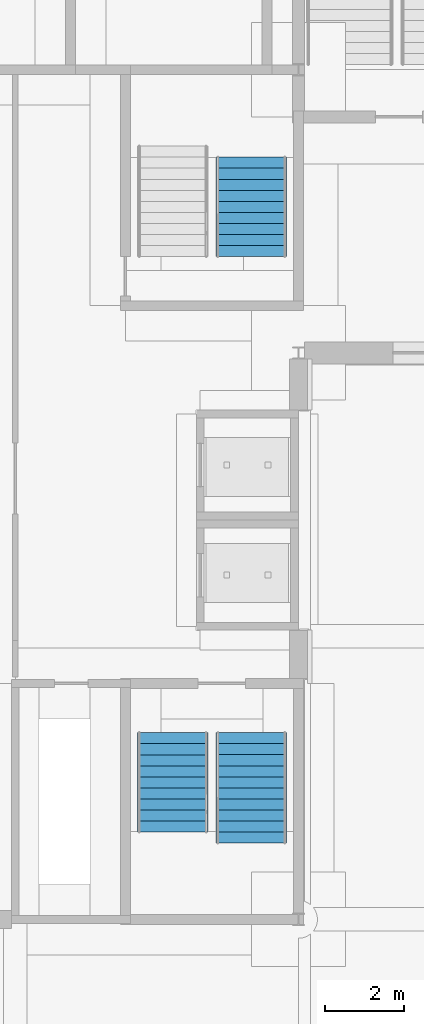
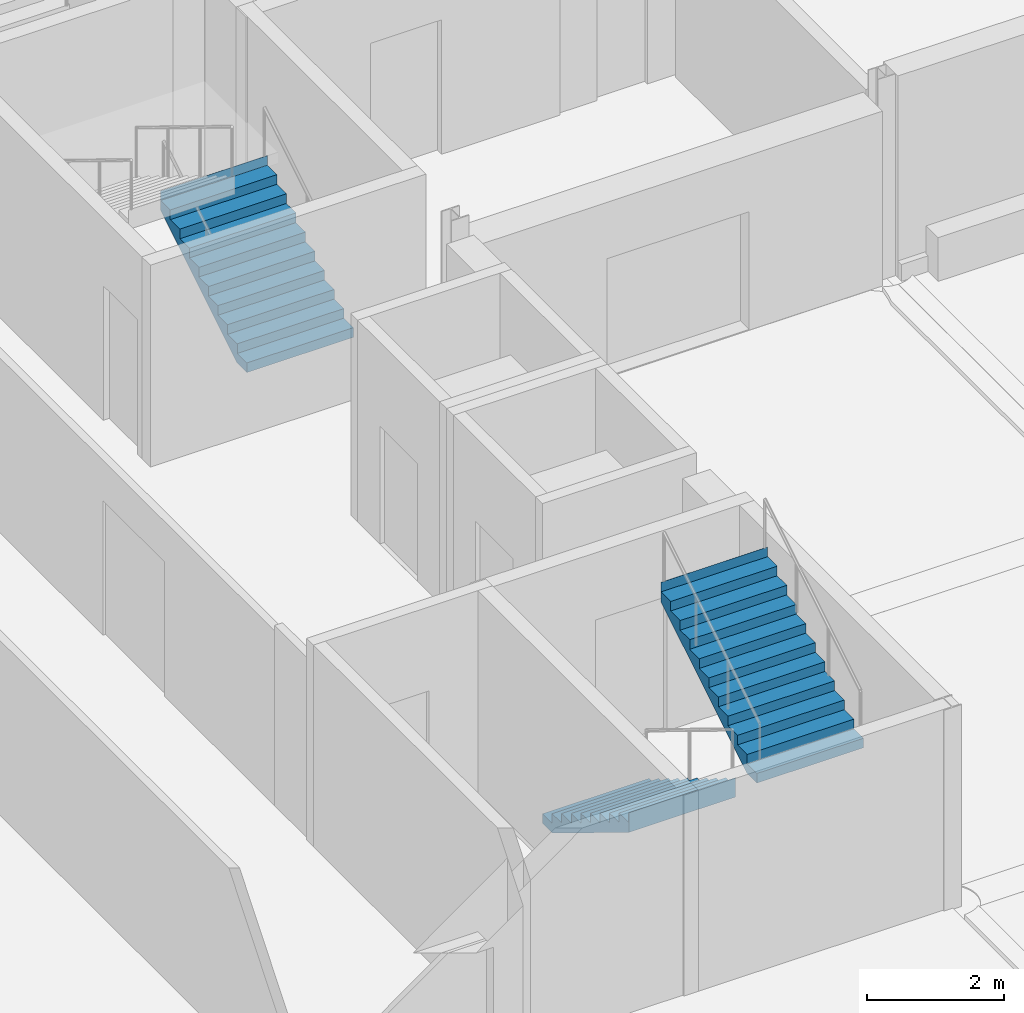
# One storey, part 95 of 148: 3 stair flights, 2 elements without a shape of their own.
"""IFC4 building model written with IfcOpenShell, lengths in metres."""

from ifc_helpers import new_model, si_unit, direction, frame, origin, place, context, subcontext, project, spatial, polyline, outline, extrude, material, type_object, element, aggregate, save


model = new_model("IFC4")

# Units and contexts
model_context = context("Model", 3, precision=1e-05, world=origin(), true_north=direction((0.0, 1.0)))
body_context = subcontext(model_context, "Body", "Model", "MODEL_VIEW")
ifc_project = project(units=[si_unit("LENGTHUNIT", "METRE"), si_unit("AREAUNIT", "SQUARE_METRE"), si_unit("VOLUMEUNIT", "CUBIC_METRE"), si_unit("PLANEANGLEUNIT", "RADIAN"), si_unit("MASSUNIT", "GRAM", prefix="KILO")], contexts=[model_context])

# Site, building, storey
site_placement = place(None, origin())
site = spatial("IfcSite", under=ifc_project, at=site_placement, CompositionType="ELEMENT")
building_placement = place(site_placement, origin())
building = spatial("IfcBuilding", under=site, at=building_placement, Name="Kupolbacken Congress Centre", CompositionType="ELEMENT")
storey_placement = place(building_placement, origin())
storey = spatial("IfcBuildingStorey", under=building, at=storey_placement, Name="L00", CompositionType="ELEMENT", Elevation=0.0)

# Stair, stair flight
ifc_material_1 = material(Name="Steel S355", Category="steel")
stair_type = type_object("IfcStairType", Name="ST3 stair 1800", PredefinedType="TWO_STRAIGHT_RUN_STAIR", material=ifc_material_1)
stair_1_placement = place(storey_placement, origin())
stair_1 = element("IfcStair", 1, at=stair_1_placement, inside=storey, type_object=stair_type, Name="C/stair/FS1E/L00", PredefinedType="NOTDEFINED")
ifc_material_2 = material(Name="Steel S355", Category="steel")
stair_flight_type_1 = type_object("IfcStairFlightType", Name="FL5 stair flight 1800 x 10 risers", PredefinedType="STRAIGHT", material=ifc_material_2)
stair_flight_1_placement = place(storey_placement, frame((76.0, 33.544921875, 0.0), z_axis=(0.0, 0.0, 1.0), x_axis=(0.0, -1.0, 0.0)))
stair_flight_1 = element("IfcStairFlight", 2, at=stair_flight_1_placement, type_object=stair_flight_type_1, Name="FS1E flight 1", NumberOfRisers=10, NumberOfTreads=9, PredefinedType="STRAIGHT", RiserHeight=0.171428571, TreadLength=0.28, context=body_context, shape_type="SweptSolid", body=[
    extrude(outline(polyline([(0.0, 0.0), (0.0, 0.0009765625), (0.0, 0.002197265625), (0.0, 0.003173828125), (0.0, 0.004150390625), (0.0, 0.00537109375), (0.0, 0.00634765625), (0.0, 0.007568359375), (0.0, 0.008544921875), (0.0, 0.009521484375), (0.0, 0.0107421875), (0.0, 0.01171875), (0.0, 0.0126953125), (0.0, 0.013916015625), (0.0, 0.014892578125), (0.0, 0.015869140625), (0.0, 0.01708984375), (0.0, 0.01806640625), (0.0, 0.019287109375), (0.0, 0.020263671875), (0.0, 0.021240234375), (0.0, 0.0224609375), (0.0, 0.0234375), (0.0, 0.0244140625), (0.0, 0.025634765625), (0.0, 0.026611328125), (0.0, 0.027587890625), (0.0, 0.02880859375), (0.0, 0.02978515625), (0.0, 0.03076171875), (0.0, 0.031982421875), (0.0, 0.032958984375), (0.0, 0.0341796875), (0.0, 0.03515625), (0.0, 0.0361328125), (0.0, 0.037353515625), (0.0, 0.038330078125), (0.0, 0.039306640625), (0.0, 0.04052734375), (0.0, 0.04150390625), (0.0, 0.04248046875), (0.0, 0.043701171875), (0.0, 0.044677734375), (0.0, 0.0458984375), (0.0, 0.046875), (0.0, 0.0478515625), (0.0, 0.049072265625), (0.0, 0.050048828125), (0.0, 0.051025390625), (0.0, 0.05224609375), (0.0, 0.05322265625), (0.0, 0.05419921875), (0.0, 0.055419921875), (0.0, 0.056396484375), (0.0, 0.0576171875), (0.0, 0.05859375), (0.0, 0.0595703125), (0.0, 0.060791015625), (0.0, 0.061767578125), (0.0, 0.062744140625), (0.0, 0.06396484375), (0.0, 0.06494140625), (0.0, 0.06591796875), (0.0, 0.067138671875), (0.0, 0.068115234375), (0.0, 0.069091796875), (0.0, 0.0703125), (0.0, 0.0712890625), (0.0, 0.072509765625), (0.0, 0.073486328125), (0.0, 0.074462890625), (0.0, 0.07568359375), (0.0, 0.07666015625), (0.0, 0.07763671875), (0.0, 0.078857421875), (0.0, 0.079833984375), (0.0, 0.080810546875), (0.0, 0.08203125), (0.0, 0.0830078125), (0.0, 0.084228515625), (0.0, 0.085205078125), (0.0, 0.086181640625), (0.0, 0.08740234375), (0.0, 0.08837890625), (0.0, 0.08935546875), (0.0, 0.090576171875), (0.0, 0.091552734375), (0.0, 0.092529296875), (0.0, 0.09375), (0.0, 0.0947265625), (0.0, 0.095947265625), (0.0, 0.096923828125), (0.0, 0.097900390625), (0.0, 0.09912109375), (0.0, 0.10009765625), (0.0, 0.10107421875), (0.0, 0.102294921875), (0.0, 0.103271484375), (0.0, 0.104248046875), (0.0, 0.10546875), (0.0, 0.1064453125), (0.0, 0.107421875), (0.0, 0.108642578125), (0.0, 0.109619140625), (0.0, 0.11083984375), (0.0, 0.11181640625), (0.0, 0.11279296875), (0.0, 0.114013671875), (0.0, 0.114990234375), (0.0, 0.115966796875), (0.0, 0.1171875), (0.0, 0.1181640625), (0.0, 0.119140625), (0.0, 0.120361328125), (0.0, 0.121337890625), (0.0, 0.12255859375), (0.0, 0.12353515625), (0.0, 0.12451171875), (0.0, 0.125732421875), (0.0, 0.126708984375), (0.0, 0.127685546875), (0.0, 0.12890625), (0.0, 0.1298828125), (0.0, 0.130859375), (0.0, 0.132080078125), (0.0, 0.133056640625), (0.0, 0.13427734375), (0.0, 0.13525390625), (0.0, 0.13623046875), (0.0, 0.137451171875), (0.0, 0.138427734375), (0.0, 0.139404296875), (0.0, 0.140625), (0.0, 0.1416015625), (0.0, 0.142578125), (0.0, 0.143798828125), (0.0, 0.144775390625), (0.0, 0.145751953125), (0.0, 0.14697265625), (0.0, 0.14794921875), (0.0, 0.149169921875), (0.0, 0.150146484375), (0.0, 0.151123046875), (0.0, 0.15234375), (0.0, 0.1533203125), (0.0, 0.154296875), (0.0, 0.155517578125), (0.0, 0.156494140625), (0.0, 0.157470703125), (0.0, 0.15869140625), (0.0, 0.15966796875), (0.0, 0.160888671875), (0.0, 0.161865234375), (0.0, 0.162841796875), (0.0, 0.1640625), (0.0, 0.1650390625), (0.0, 0.166015625), (0.0, 0.167236328125), (0.0, 0.168212890625), (0.0, 0.169189453125), (0.0, 0.17041015625), (0.0, 0.17138671875), (0.280029296875, 0.17138671875), (0.280029296875, 0.3427734375), (0.56005859375, 0.3427734375), (0.56005859375, 0.514404296875), (0.840087890625, 0.514404296875), (0.840087890625, 0.685791015625), (1.1201171875, 0.685791015625), (1.1201171875, 0.857177734375), (1.39990234375, 0.857177734375), (1.39990234375, 1.028564453125), (1.679931640625, 1.028564453125), (1.679931640625, 1.199951171875), (1.9599609375, 1.199951171875), (1.9599609375, 1.371337890625), (2.239990234375, 1.371337890625), (2.239990234375, 1.54296875), (2.52001953125, 1.54296875), (2.52001953125, 1.71435546875), (2.52197265625, 1.71435546875), (2.52197265625, 1.712158203125), (2.52197265625, 1.7099609375), (2.52197265625, 1.707763671875), (2.52197265625, 1.70556640625), (2.52197265625, 1.70361328125), (2.52197265625, 1.701416015625), (2.52197265625, 1.69921875), (2.52197265625, 1.697021484375), (2.52197265625, 1.69482421875), (2.52197265625, 1.692626953125), (2.52197265625, 1.690673828125), (2.52197265625, 1.6884765625), (2.52197265625, 1.686279296875), (2.52197265625, 1.68408203125), (2.52197265625, 1.681884765625), (2.52197265625, 1.6796875), (2.52197265625, 1.677734375), (2.52197265625, 1.675537109375), (2.52197265625, 1.67333984375), (2.52197265625, 1.671142578125), (2.52197265625, 1.6689453125), (2.52197265625, 1.666748046875), (2.52197265625, 1.664794921875), (2.52197265625, 1.66259765625), (2.52197265625, 1.660400390625), (2.52197265625, 1.658203125), (2.52197265625, 1.656005859375), (2.52197265625, 1.65380859375), (2.52197265625, 1.65185546875), (2.52197265625, 1.649658203125), (2.52197265625, 1.6474609375), (2.52197265625, 1.645263671875), (2.52197265625, 1.64306640625), (2.52197265625, 1.640869140625), (2.52197265625, 1.638916015625), (2.52197265625, 1.63671875), (2.52197265625, 1.634521484375), (2.52197265625, 1.63232421875), (2.52197265625, 1.630126953125), (2.52197265625, 1.6279296875), (2.52197265625, 1.6259765625), (2.52197265625, 1.623779296875), (2.52197265625, 1.62158203125), (2.52197265625, 1.619384765625), (2.52197265625, 1.6171875), (2.52197265625, 1.614990234375), (2.52197265625, 1.613037109375), (2.52197265625, 1.61083984375), (2.52197265625, 1.608642578125), (2.52197265625, 1.6064453125), (2.52197265625, 1.604248046875), (2.52197265625, 1.60205078125), (2.52197265625, 1.60009765625), (2.52197265625, 1.597900390625), (2.52197265625, 1.595703125), (2.52197265625, 1.593505859375), (2.52197265625, 1.59130859375), (2.52197265625, 1.589111328125), (2.52197265625, 1.587158203125), (2.52197265625, 1.5849609375), (2.52197265625, 1.582763671875), (2.52197265625, 1.58056640625), (2.52197265625, 1.578369140625), (2.52197265625, 1.576171875), (2.52197265625, 1.57421875), (2.52197265625, 1.572021484375), (2.52197265625, 1.56982421875), (2.52197265625, 1.567626953125), (2.52197265625, 1.5654296875), (2.52197265625, 1.563232421875), (2.52197265625, 1.561279296875), (2.52197265625, 1.55908203125), (2.52197265625, 1.556884765625), (2.52197265625, 1.5546875), (2.52197265625, 1.552490234375), (2.52197265625, 1.55029296875), (2.52197265625, 1.54833984375), (2.52197265625, 1.546142578125), (2.52197265625, 1.5439453125), (2.52197265625, 1.541748046875), (2.52197265625, 1.53955078125), (2.52197265625, 1.537353515625), (2.52197265625, 1.535400390625), (2.52197265625, 1.533203125), (2.52197265625, 1.531005859375), (2.52197265625, 1.52880859375), (2.52197265625, 1.526611328125), (2.52197265625, 1.5244140625), (2.52197265625, 1.5224609375), (2.52197265625, 1.520263671875), (2.52197265625, 1.51806640625), (2.52197265625, 1.515869140625), (2.52197265625, 1.513671875), (2.52197265625, 1.511474609375), (2.52197265625, 1.509521484375), (2.52197265625, 1.50732421875), (2.52197265625, 1.505126953125), (2.52197265625, 1.5029296875), (2.52197265625, 1.500732421875), (2.52197265625, 1.49853515625), (2.52197265625, 1.49658203125), (2.52197265625, 1.494384765625), (2.52197265625, 1.4921875), (2.52197265625, 1.489990234375), (2.52197265625, 1.48779296875), (2.52197265625, 1.485595703125), (2.52197265625, 1.483642578125), (2.52197265625, 1.4814453125), (2.52197265625, 1.479248046875), (2.52197265625, 1.47705078125), (2.52197265625, 1.474853515625), (2.52197265625, 1.47265625), (2.52197265625, 1.470703125), (2.52197265625, 1.468505859375), (2.52197265625, 1.46630859375), (2.52197265625, 1.464111328125), (2.52197265625, 1.4619140625), (2.52197265625, 1.459716796875), (2.52197265625, 1.457763671875), (2.52197265625, 1.45556640625), (2.52197265625, 1.453369140625), (2.52197265625, 1.451171875), (2.52197265625, 1.448974609375), (2.52197265625, 1.44677734375), (2.52197265625, 1.44482421875), (2.52197265625, 1.442626953125), (2.52197265625, 1.4404296875), (2.52197265625, 1.438232421875), (2.52197265625, 1.43603515625), (2.52197265625, 1.433837890625), (2.52197265625, 1.431884765625), (2.52197265625, 1.4296875), (2.52197265625, 1.427490234375), (2.52197265625, 1.42529296875), (2.52197265625, 1.423095703125), (2.52197265625, 1.4208984375), (2.52197265625, 1.4189453125), (2.52197265625, 1.416748046875), (2.52197265625, 1.41455078125), (2.52197265625, 1.412353515625), (2.52197265625, 1.41015625), (2.52197265625, 1.407958984375), (2.52197265625, 1.406005859375), (2.52197265625, 1.40380859375), (2.52197265625, 1.401611328125), (2.52197265625, 1.3994140625), (2.52197265625, 1.397216796875), (2.52197265625, 1.39501953125), (2.52197265625, 1.39306640625), (2.52197265625, 1.390869140625), (2.52197265625, 1.388671875), (2.52197265625, 1.386474609375), (2.52197265625, 1.38427734375), (2.52197265625, 1.382080078125), (2.52197265625, 1.380126953125), (2.52197265625, 1.3779296875), (2.52197265625, 1.375732421875), (2.52197265625, 1.37353515625), (2.52197265625, 1.371337890625), (2.52197265625, 1.369140625), (2.52197265625, 1.3671875), (0.2890625, 0.0), (0.0, 0.0)])), frame((0.0, 0.89990234375, 0.0), z_axis=(0.0, -1.0, 0.0), x_axis=(1.0, 0.0, 0.0)), (0.0, 0.0, 1.0), 1.800048828125),
])

stair_2_placement = place(storey_placement, origin())
stair_2 = element("IfcStair", 3, at=stair_2_placement, inside=storey, type_object=stair_type, Name="C/stair/FS2E/L00", PredefinedType="NOTDEFINED")
stair_flight_2_placement = place(storey_placement, frame((78.0, 45.655029296875, 0.0), z_axis=(0.0, 0.0, 1.0), x_axis=(0.0, 1.0, 0.0)))
stair_flight_2 = element("IfcStairFlight", 4, at=stair_flight_2_placement, type_object=stair_flight_type_1, Name="FS2E flight 1", NumberOfRisers=10, NumberOfTreads=9, PredefinedType="STRAIGHT", RiserHeight=0.171428571, TreadLength=0.28, context=body_context, shape_type="SweptSolid", body=[
    extrude(outline(polyline([(0.0, 0.0), (0.0, 0.0009765625), (0.0, 0.002197265625), (0.0, 0.003173828125), (0.0, 0.004150390625), (0.0, 0.00537109375), (0.0, 0.00634765625), (0.0, 0.007568359375), (0.0, 0.008544921875), (0.0, 0.009521484375), (0.0, 0.0107421875), (0.0, 0.01171875), (0.0, 0.0126953125), (0.0, 0.013916015625), (0.0, 0.014892578125), (0.0, 0.015869140625), (0.0, 0.01708984375), (0.0, 0.01806640625), (0.0, 0.019287109375), (0.0, 0.020263671875), (0.0, 0.021240234375), (0.0, 0.0224609375), (0.0, 0.0234375), (0.0, 0.0244140625), (0.0, 0.025634765625), (0.0, 0.026611328125), (0.0, 0.027587890625), (0.0, 0.02880859375), (0.0, 0.02978515625), (0.0, 0.03076171875), (0.0, 0.031982421875), (0.0, 0.032958984375), (0.0, 0.0341796875), (0.0, 0.03515625), (0.0, 0.0361328125), (0.0, 0.037353515625), (0.0, 0.038330078125), (0.0, 0.039306640625), (0.0, 0.04052734375), (0.0, 0.04150390625), (0.0, 0.04248046875), (0.0, 0.043701171875), (0.0, 0.044677734375), (0.0, 0.0458984375), (0.0, 0.046875), (0.0, 0.0478515625), (0.0, 0.049072265625), (0.0, 0.050048828125), (0.0, 0.051025390625), (0.0, 0.05224609375), (0.0, 0.05322265625), (0.0, 0.05419921875), (0.0, 0.055419921875), (0.0, 0.056396484375), (0.0, 0.0576171875), (0.0, 0.05859375), (0.0, 0.0595703125), (0.0, 0.060791015625), (0.0, 0.061767578125), (0.0, 0.062744140625), (0.0, 0.06396484375), (0.0, 0.06494140625), (0.0, 0.06591796875), (0.0, 0.067138671875), (0.0, 0.068115234375), (0.0, 0.069091796875), (0.0, 0.0703125), (0.0, 0.0712890625), (0.0, 0.072509765625), (0.0, 0.073486328125), (0.0, 0.074462890625), (0.0, 0.07568359375), (0.0, 0.07666015625), (0.0, 0.07763671875), (0.0, 0.078857421875), (0.0, 0.079833984375), (0.0, 0.080810546875), (0.0, 0.08203125), (0.0, 0.0830078125), (0.0, 0.084228515625), (0.0, 0.085205078125), (0.0, 0.086181640625), (0.0, 0.08740234375), (0.0, 0.08837890625), (0.0, 0.08935546875), (0.0, 0.090576171875), (0.0, 0.091552734375), (0.0, 0.092529296875), (0.0, 0.09375), (0.0, 0.0947265625), (0.0, 0.095947265625), (0.0, 0.096923828125), (0.0, 0.097900390625), (0.0, 0.09912109375), (0.0, 0.10009765625), (0.0, 0.10107421875), (0.0, 0.102294921875), (0.0, 0.103271484375), (0.0, 0.104248046875), (0.0, 0.10546875), (0.0, 0.1064453125), (0.0, 0.107421875), (0.0, 0.108642578125), (0.0, 0.109619140625), (0.0, 0.11083984375), (0.0, 0.11181640625), (0.0, 0.11279296875), (0.0, 0.114013671875), (0.0, 0.114990234375), (0.0, 0.115966796875), (0.0, 0.1171875), (0.0, 0.1181640625), (0.0, 0.119140625), (0.0, 0.120361328125), (0.0, 0.121337890625), (0.0, 0.12255859375), (0.0, 0.12353515625), (0.0, 0.12451171875), (0.0, 0.125732421875), (0.0, 0.126708984375), (0.0, 0.127685546875), (0.0, 0.12890625), (0.0, 0.1298828125), (0.0, 0.130859375), (0.0, 0.132080078125), (0.0, 0.133056640625), (0.0, 0.13427734375), (0.0, 0.13525390625), (0.0, 0.13623046875), (0.0, 0.137451171875), (0.0, 0.138427734375), (0.0, 0.139404296875), (0.0, 0.140625), (0.0, 0.1416015625), (0.0, 0.142578125), (0.0, 0.143798828125), (0.0, 0.144775390625), (0.0, 0.145751953125), (0.0, 0.14697265625), (0.0, 0.14794921875), (0.0, 0.149169921875), (0.0, 0.150146484375), (0.0, 0.151123046875), (0.0, 0.15234375), (0.0, 0.1533203125), (0.0, 0.154296875), (0.0, 0.155517578125), (0.0, 0.156494140625), (0.0, 0.157470703125), (0.0, 0.15869140625), (0.0, 0.15966796875), (0.0, 0.160888671875), (0.0, 0.161865234375), (0.0, 0.162841796875), (0.0, 0.1640625), (0.0, 0.1650390625), (0.0, 0.166015625), (0.0, 0.167236328125), (0.0, 0.168212890625), (0.0, 0.169189453125), (0.0, 0.17041015625), (0.0, 0.17138671875), (0.280029296875, 0.17138671875), (0.280029296875, 0.3427734375), (0.56005859375, 0.3427734375), (0.56005859375, 0.514404296875), (0.840087890625, 0.514404296875), (0.840087890625, 0.685791015625), (1.1201171875, 0.685791015625), (1.1201171875, 0.857177734375), (1.39990234375, 0.857177734375), (1.39990234375, 1.028564453125), (1.679931640625, 1.028564453125), (1.679931640625, 1.199951171875), (1.9599609375, 1.199951171875), (1.9599609375, 1.371337890625), (2.239990234375, 1.371337890625), (2.239990234375, 1.54296875), (2.52001953125, 1.54296875), (2.52001953125, 1.71435546875), (2.52197265625, 1.71435546875), (2.52197265625, 1.712158203125), (2.52197265625, 1.7099609375), (2.52197265625, 1.707763671875), (2.52197265625, 1.70556640625), (2.52197265625, 1.70361328125), (2.52197265625, 1.701416015625), (2.52197265625, 1.69921875), (2.52197265625, 1.697021484375), (2.52197265625, 1.69482421875), (2.52197265625, 1.692626953125), (2.52197265625, 1.690673828125), (2.52197265625, 1.6884765625), (2.52197265625, 1.686279296875), (2.52197265625, 1.68408203125), (2.52197265625, 1.681884765625), (2.52197265625, 1.6796875), (2.52197265625, 1.677734375), (2.52197265625, 1.675537109375), (2.52197265625, 1.67333984375), (2.52197265625, 1.671142578125), (2.52197265625, 1.6689453125), (2.52197265625, 1.666748046875), (2.52197265625, 1.664794921875), (2.52197265625, 1.66259765625), (2.52197265625, 1.660400390625), (2.52197265625, 1.658203125), (2.52197265625, 1.656005859375), (2.52197265625, 1.65380859375), (2.52197265625, 1.65185546875), (2.52197265625, 1.649658203125), (2.52197265625, 1.6474609375), (2.52197265625, 1.645263671875), (2.52197265625, 1.64306640625), (2.52197265625, 1.640869140625), (2.52197265625, 1.638916015625), (2.52197265625, 1.63671875), (2.52197265625, 1.634521484375), (2.52197265625, 1.63232421875), (2.52197265625, 1.630126953125), (2.52197265625, 1.6279296875), (2.52197265625, 1.6259765625), (2.52197265625, 1.623779296875), (2.52197265625, 1.62158203125), (2.52197265625, 1.619384765625), (2.52197265625, 1.6171875), (2.52197265625, 1.614990234375), (2.52197265625, 1.613037109375), (2.52197265625, 1.61083984375), (2.52197265625, 1.608642578125), (2.52197265625, 1.6064453125), (2.52197265625, 1.604248046875), (2.52197265625, 1.60205078125), (2.52197265625, 1.60009765625), (2.52197265625, 1.597900390625), (2.52197265625, 1.595703125), (2.52197265625, 1.593505859375), (2.52197265625, 1.59130859375), (2.52197265625, 1.589111328125), (2.52197265625, 1.587158203125), (2.52197265625, 1.5849609375), (2.52197265625, 1.582763671875), (2.52197265625, 1.58056640625), (2.52197265625, 1.578369140625), (2.52197265625, 1.576171875), (2.52197265625, 1.57421875), (2.52197265625, 1.572021484375), (2.52197265625, 1.56982421875), (2.52197265625, 1.567626953125), (2.52197265625, 1.5654296875), (2.52197265625, 1.563232421875), (2.52197265625, 1.561279296875), (2.52197265625, 1.55908203125), (2.52197265625, 1.556884765625), (2.52197265625, 1.5546875), (2.52197265625, 1.552490234375), (2.52197265625, 1.55029296875), (2.52197265625, 1.54833984375), (2.52197265625, 1.546142578125), (2.52197265625, 1.5439453125), (2.52197265625, 1.541748046875), (2.52197265625, 1.53955078125), (2.52197265625, 1.537353515625), (2.52197265625, 1.535400390625), (2.52197265625, 1.533203125), (2.52197265625, 1.531005859375), (2.52197265625, 1.52880859375), (2.52197265625, 1.526611328125), (2.52197265625, 1.5244140625), (2.52197265625, 1.5224609375), (2.52197265625, 1.520263671875), (2.52197265625, 1.51806640625), (2.52197265625, 1.515869140625), (2.52197265625, 1.513671875), (2.52197265625, 1.511474609375), (2.52197265625, 1.509521484375), (2.52197265625, 1.50732421875), (2.52197265625, 1.505126953125), (2.52197265625, 1.5029296875), (2.52197265625, 1.500732421875), (2.52197265625, 1.49853515625), (2.52197265625, 1.49658203125), (2.52197265625, 1.494384765625), (2.52197265625, 1.4921875), (2.52197265625, 1.489990234375), (2.52197265625, 1.48779296875), (2.52197265625, 1.485595703125), (2.52197265625, 1.483642578125), (2.52197265625, 1.4814453125), (2.52197265625, 1.479248046875), (2.52197265625, 1.47705078125), (2.52197265625, 1.474853515625), (2.52197265625, 1.47265625), (2.52197265625, 1.470703125), (2.52197265625, 1.468505859375), (2.52197265625, 1.46630859375), (2.52197265625, 1.464111328125), (2.52197265625, 1.4619140625), (2.52197265625, 1.459716796875), (2.52197265625, 1.457763671875), (2.52197265625, 1.45556640625), (2.52197265625, 1.453369140625), (2.52197265625, 1.451171875), (2.52197265625, 1.448974609375), (2.52197265625, 1.44677734375), (2.52197265625, 1.44482421875), (2.52197265625, 1.442626953125), (2.52197265625, 1.4404296875), (2.52197265625, 1.438232421875), (2.52197265625, 1.43603515625), (2.52197265625, 1.433837890625), (2.52197265625, 1.431884765625), (2.52197265625, 1.4296875), (2.52197265625, 1.427490234375), (2.52197265625, 1.42529296875), (2.52197265625, 1.423095703125), (2.52197265625, 1.4208984375), (2.52197265625, 1.4189453125), (2.52197265625, 1.416748046875), (2.52197265625, 1.41455078125), (2.52197265625, 1.412353515625), (2.52197265625, 1.41015625), (2.52197265625, 1.407958984375), (2.52197265625, 1.406005859375), (2.52197265625, 1.40380859375), (2.52197265625, 1.401611328125), (2.52197265625, 1.3994140625), (2.52197265625, 1.397216796875), (2.52197265625, 1.39501953125), (2.52197265625, 1.39306640625), (2.52197265625, 1.390869140625), (2.52197265625, 1.388671875), (2.52197265625, 1.386474609375), (2.52197265625, 1.38427734375), (2.52197265625, 1.382080078125), (2.52197265625, 1.380126953125), (2.52197265625, 1.3779296875), (2.52197265625, 1.375732421875), (2.52197265625, 1.37353515625), (2.52197265625, 1.371337890625), (2.52197265625, 1.369140625), (2.52197265625, 1.3671875), (0.2890625, 0.0), (0.0, 0.0)])), frame((0.0, 0.89990234375, 0.0), z_axis=(0.0, -1.0, 0.0), x_axis=(1.0, 0.0, 0.0)), (0.0, 0.0, 1.0), 1.800048828125),
])
aggregate(stair_2, [stair_flight_2])

# Stair flight
ifc_material_3 = material(Name="Steel S355", Category="steel")
stair_flight_type_2 = type_object("IfcStairFlightType", Name="FL6 stair flight 1800 x 11 risers", PredefinedType="STRAIGHT", material=ifc_material_3)
stair_flight_3_placement = place(storey_placement, frame((78.0, 30.7451171875, 1.71435546875), z_axis=(0.0, 0.0, 1.0), x_axis=(0.0, 1.0, 0.0)))
stair_flight_3 = element("IfcStairFlight", 5, at=stair_flight_3_placement, type_object=stair_flight_type_2, Name="FS1E flight 2", NumberOfRisers=11, NumberOfTreads=10, PredefinedType="STRAIGHT", RiserHeight=0.171428571, TreadLength=0.28, context=body_context, shape_type="SweptSolid", body=[
    extrude(outline(polyline([(0.0, 0.0), (0.0, 0.0009765625), (0.0, 0.002197265625), (0.0, 0.003173828125), (0.0, 0.004150390625), (0.0, 0.00537109375), (0.0, 0.00634765625), (0.0, 0.007568359375), (0.0, 0.008544921875), (0.0, 0.009521484375), (0.0, 0.0107421875), (0.0, 0.01171875), (0.0, 0.0126953125), (0.0, 0.013916015625), (0.0, 0.014892578125), (0.0, 0.015869140625), (0.0, 0.01708984375), (0.0, 0.01806640625), (0.0, 0.019287109375), (0.0, 0.020263671875), (0.0, 0.021240234375), (0.0, 0.0224609375), (0.0, 0.0234375), (0.0, 0.0244140625), (0.0, 0.025634765625), (0.0, 0.026611328125), (0.0, 0.027587890625), (0.0, 0.02880859375), (0.0, 0.02978515625), (0.0, 0.03076171875), (0.0, 0.031982421875), (0.0, 0.032958984375), (0.0, 0.0341796875), (0.0, 0.03515625), (0.0, 0.0361328125), (0.0, 0.037353515625), (0.0, 0.038330078125), (0.0, 0.039306640625), (0.0, 0.04052734375), (0.0, 0.04150390625), (0.0, 0.04248046875), (0.0, 0.043701171875), (0.0, 0.044677734375), (0.0, 0.0458984375), (0.0, 0.046875), (0.0, 0.0478515625), (0.0, 0.049072265625), (0.0, 0.050048828125), (0.0, 0.051025390625), (0.0, 0.05224609375), (0.0, 0.05322265625), (0.0, 0.05419921875), (0.0, 0.055419921875), (0.0, 0.056396484375), (0.0, 0.0576171875), (0.0, 0.05859375), (0.0, 0.0595703125), (0.0, 0.060791015625), (0.0, 0.061767578125), (0.0, 0.062744140625), (0.0, 0.06396484375), (0.0, 0.06494140625), (0.0, 0.06591796875), (0.0, 0.067138671875), (0.0, 0.068115234375), (0.0, 0.069091796875), (0.0, 0.0703125), (0.0, 0.0712890625), (0.0, 0.072509765625), (0.0, 0.073486328125), (0.0, 0.074462890625), (0.0, 0.07568359375), (0.0, 0.07666015625), (0.0, 0.07763671875), (0.0, 0.078857421875), (0.0, 0.079833984375), (0.0, 0.080810546875), (0.0, 0.08203125), (0.0, 0.0830078125), (0.0, 0.084228515625), (0.0, 0.085205078125), (0.0, 0.086181640625), (0.0, 0.08740234375), (0.0, 0.08837890625), (0.0, 0.08935546875), (0.0, 0.090576171875), (0.0, 0.091552734375), (0.0, 0.092529296875), (0.0, 0.09375), (0.0, 0.0947265625), (0.0, 0.095947265625), (0.0, 0.096923828125), (0.0, 0.097900390625), (0.0, 0.09912109375), (0.0, 0.10009765625), (0.0, 0.10107421875), (0.0, 0.102294921875), (0.0, 0.103271484375), (0.0, 0.104248046875), (0.0, 0.10546875), (0.0, 0.1064453125), (0.0, 0.107421875), (0.0, 0.108642578125), (0.0, 0.109619140625), (0.0, 0.11083984375), (0.0, 0.11181640625), (0.0, 0.11279296875), (0.0, 0.114013671875), (0.0, 0.114990234375), (0.0, 0.115966796875), (0.0, 0.1171875), (0.0, 0.1181640625), (0.0, 0.119140625), (0.0, 0.120361328125), (0.0, 0.121337890625), (0.0, 0.12255859375), (0.0, 0.12353515625), (0.0, 0.12451171875), (0.0, 0.125732421875), (0.0, 0.126708984375), (0.0, 0.127685546875), (0.0, 0.12890625), (0.0, 0.1298828125), (0.0, 0.130859375), (0.0, 0.132080078125), (0.0, 0.133056640625), (0.0, 0.13427734375), (0.0, 0.13525390625), (0.0, 0.13623046875), (0.0, 0.137451171875), (0.0, 0.138427734375), (0.0, 0.139404296875), (0.0, 0.140625), (0.0, 0.1416015625), (0.0, 0.142578125), (0.0, 0.143798828125), (0.0, 0.144775390625), (0.0, 0.145751953125), (0.0, 0.14697265625), (0.0, 0.14794921875), (0.0, 0.149169921875), (0.0, 0.150146484375), (0.0, 0.151123046875), (0.0, 0.15234375), (0.0, 0.1533203125), (0.0, 0.154296875), (0.0, 0.155517578125), (0.0, 0.156494140625), (0.0, 0.157470703125), (0.0, 0.15869140625), (0.0, 0.15966796875), (0.0, 0.160888671875), (0.0, 0.161865234375), (0.0, 0.162841796875), (0.0, 0.1640625), (0.0, 0.1650390625), (0.0, 0.166015625), (0.0, 0.167236328125), (0.0, 0.168212890625), (0.0, 0.169189453125), (0.0, 0.17041015625), (0.0, 0.17138671875), (0.280029296875, 0.17138671875), (0.280029296875, 0.3427734375), (0.56005859375, 0.3427734375), (0.56005859375, 0.514404296875), (0.840087890625, 0.514404296875), (0.840087890625, 0.685791015625), (1.1201171875, 0.685791015625), (1.1201171875, 0.857177734375), (1.39990234375, 0.857177734375), (1.39990234375, 1.028564453125), (1.679931640625, 1.028564453125), (1.679931640625, 1.199951171875), (1.9599609375, 1.199951171875), (1.9599609375, 1.371337890625), (2.239990234375, 1.371337890625), (2.239990234375, 1.54296875), (2.52001953125, 1.54296875), (2.52001953125, 1.71435546875), (2.800048828125, 1.71435546875), (2.800048828125, 1.8857421875), (2.802001953125, 1.8857421875), (2.802001953125, 1.883544921875), (2.802001953125, 1.88134765625), (2.802001953125, 1.879150390625), (2.802001953125, 1.877197265625), (2.802001953125, 1.875), (2.802001953125, 1.872802734375), (2.802001953125, 1.87060546875), (2.802001953125, 1.868408203125), (2.802001953125, 1.8662109375), (2.802001953125, 1.8642578125), (2.802001953125, 1.862060546875), (2.802001953125, 1.85986328125), (2.802001953125, 1.857666015625), (2.802001953125, 1.85546875), (2.802001953125, 1.853271484375), (2.802001953125, 1.851318359375), (2.802001953125, 1.84912109375), (2.802001953125, 1.846923828125), (2.802001953125, 1.8447265625), (2.802001953125, 1.842529296875), (2.802001953125, 1.84033203125), (2.802001953125, 1.83837890625), (2.802001953125, 1.836181640625), (2.802001953125, 1.833984375), (2.802001953125, 1.831787109375), (2.802001953125, 1.82958984375), (2.802001953125, 1.827392578125), (2.802001953125, 1.825439453125), (2.802001953125, 1.8232421875), (2.802001953125, 1.821044921875), (2.802001953125, 1.81884765625), (2.802001953125, 1.816650390625), (2.802001953125, 1.814453125), (2.802001953125, 1.8125), (2.802001953125, 1.810302734375), (2.802001953125, 1.80810546875), (2.802001953125, 1.805908203125), (2.802001953125, 1.8037109375), (2.802001953125, 1.801513671875), (2.802001953125, 1.799560546875), (2.802001953125, 1.79736328125), (2.802001953125, 1.795166015625), (2.802001953125, 1.79296875), (2.802001953125, 1.790771484375), (2.802001953125, 1.78857421875), (2.802001953125, 1.78662109375), (2.802001953125, 1.784423828125), (2.802001953125, 1.7822265625), (2.802001953125, 1.780029296875), (2.802001953125, 1.77783203125), (2.802001953125, 1.775634765625), (2.802001953125, 1.773681640625), (2.802001953125, 1.771484375), (2.802001953125, 1.769287109375), (2.802001953125, 1.76708984375), (2.802001953125, 1.764892578125), (2.802001953125, 1.7626953125), (2.802001953125, 1.7607421875), (2.802001953125, 1.758544921875), (2.802001953125, 1.75634765625), (2.802001953125, 1.754150390625), (2.802001953125, 1.751953125), (2.802001953125, 1.749755859375), (2.802001953125, 1.747802734375), (2.802001953125, 1.74560546875), (2.802001953125, 1.743408203125), (2.802001953125, 1.7412109375), (2.802001953125, 1.739013671875), (2.802001953125, 1.73681640625), (2.802001953125, 1.73486328125), (2.802001953125, 1.732666015625), (2.802001953125, 1.73046875), (2.802001953125, 1.728271484375), (2.802001953125, 1.72607421875), (2.802001953125, 1.723876953125), (2.802001953125, 1.721923828125), (2.802001953125, 1.7197265625), (2.802001953125, 1.717529296875), (2.802001953125, 1.71533203125), (2.802001953125, 1.713134765625), (2.802001953125, 1.7109375), (2.802001953125, 1.708984375), (2.802001953125, 1.706787109375), (2.802001953125, 1.70458984375), (2.802001953125, 1.702392578125), (2.802001953125, 1.7001953125), (2.802001953125, 1.697998046875), (2.802001953125, 1.696044921875), (2.802001953125, 1.69384765625), (2.802001953125, 1.691650390625), (2.802001953125, 1.689453125), (2.802001953125, 1.687255859375), (2.802001953125, 1.68505859375), (2.802001953125, 1.68310546875), (2.802001953125, 1.680908203125), (2.802001953125, 1.6787109375), (2.802001953125, 1.676513671875), (2.802001953125, 1.67431640625), (2.802001953125, 1.672119140625), (2.802001953125, 1.670166015625), (2.802001953125, 1.66796875), (2.802001953125, 1.665771484375), (2.802001953125, 1.66357421875), (2.802001953125, 1.661376953125), (2.802001953125, 1.6591796875), (2.802001953125, 1.6572265625), (2.802001953125, 1.655029296875), (2.802001953125, 1.65283203125), (2.802001953125, 1.650634765625), (2.802001953125, 1.6484375), (2.802001953125, 1.646240234375), (2.802001953125, 1.644287109375), (2.802001953125, 1.64208984375), (2.802001953125, 1.639892578125), (2.802001953125, 1.6376953125), (2.802001953125, 1.635498046875), (2.802001953125, 1.63330078125), (2.802001953125, 1.63134765625), (2.802001953125, 1.629150390625), (2.802001953125, 1.626953125), (2.802001953125, 1.624755859375), (2.802001953125, 1.62255859375), (2.802001953125, 1.620361328125), (2.802001953125, 1.618408203125), (2.802001953125, 1.6162109375), (2.802001953125, 1.614013671875), (2.802001953125, 1.61181640625), (2.802001953125, 1.609619140625), (2.802001953125, 1.607421875), (2.802001953125, 1.60546875), (2.802001953125, 1.603271484375), (2.802001953125, 1.60107421875), (2.802001953125, 1.598876953125), (2.802001953125, 1.5966796875), (2.802001953125, 1.594482421875), (2.802001953125, 1.592529296875), (2.802001953125, 1.59033203125), (2.802001953125, 1.588134765625), (2.802001953125, 1.5859375), (2.802001953125, 1.583740234375), (2.802001953125, 1.58154296875), (2.802001953125, 1.57958984375), (2.802001953125, 1.577392578125), (2.802001953125, 1.5751953125), (2.802001953125, 1.572998046875), (2.802001953125, 1.57080078125), (2.802001953125, 1.568603515625), (2.802001953125, 1.566650390625), (2.802001953125, 1.564453125), (2.802001953125, 1.562255859375), (2.802001953125, 1.56005859375), (2.802001953125, 1.557861328125), (2.802001953125, 1.5556640625), (2.802001953125, 1.5537109375), (2.802001953125, 1.551513671875), (2.802001953125, 1.54931640625), (2.802001953125, 1.547119140625), (2.802001953125, 1.544921875), (2.802001953125, 1.542724609375), (2.802001953125, 1.540771484375), (2.802001953125, 1.53857421875), (0.2890625, 0.0), (0.0, 0.0)])), frame((0.0, 0.89990234375, 0.0), z_axis=(0.0, -1.0, 0.0), x_axis=(1.0, 0.0, 0.0)), (0.0, 0.0, 1.0), 1.800048828125),
])

aggregate(stair_1, [stair_flight_1, stair_flight_3])

save(model, "model.ifc")
